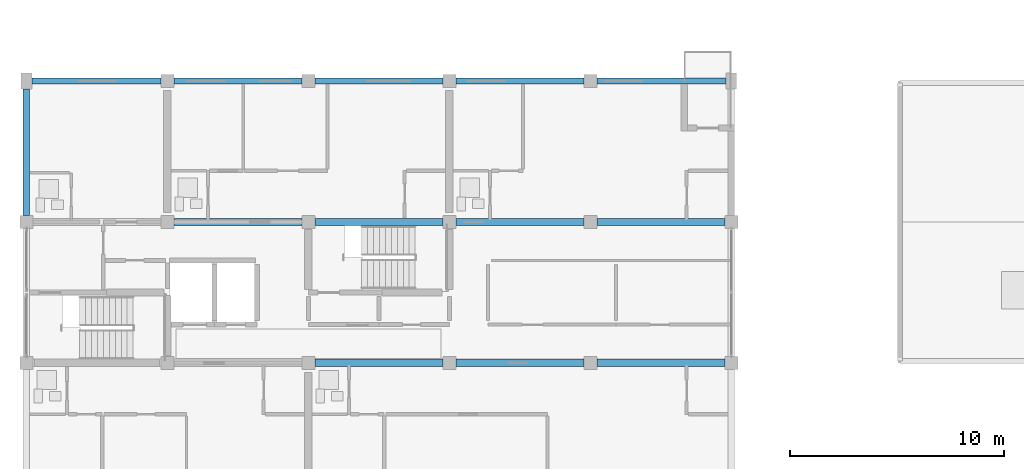
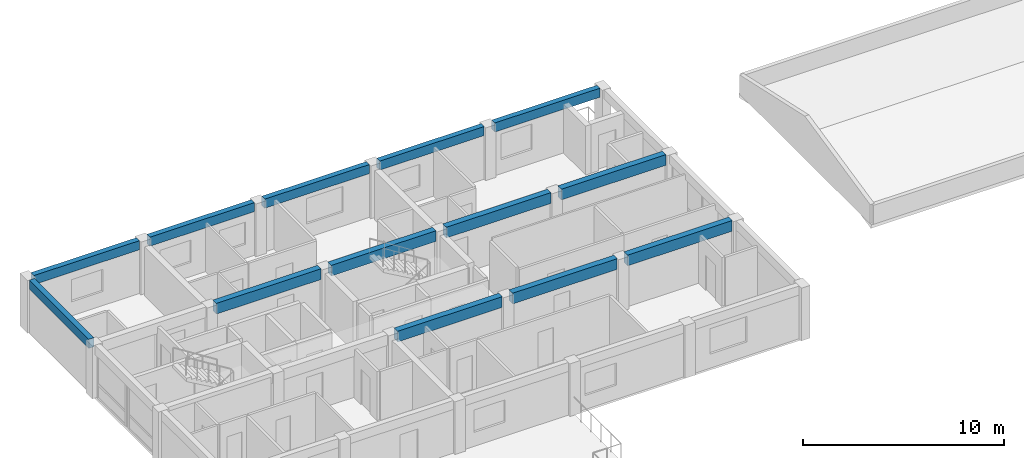
# One storey, part 16 of 51: 13 beams.
"""IFC4 building model written with IfcOpenShell, lengths in metres."""

from ifc_helpers import new_model, si_unit, direction, frame, origin, origin_2d, place, context, subcontext, project, spatial, rectangle, extrude, material, material_profile, profile_set, type_object, element, save


model = new_model("IFC4")

# Units and contexts
model_context = context("Model", 3, precision=1e-05, world=origin(), true_north=direction((0.0, 1.0)))
body_context = subcontext(model_context, "Body", "Model", "MODEL_VIEW")
ifc_project = project(units=[si_unit("LENGTHUNIT", "METRE"), si_unit("AREAUNIT", "SQUARE_METRE"), si_unit("VOLUMEUNIT", "CUBIC_METRE"), si_unit("PLANEANGLEUNIT", "RADIAN"), si_unit("MASSUNIT", "GRAM", prefix="KILO")], contexts=[model_context])

# Site, building, storey
site_placement = place(None, origin())
site = spatial("IfcSite", under=ifc_project, at=site_placement, CompositionType="ELEMENT")
building_placement = place(site_placement, origin())
building = spatial("IfcBuilding", under=site, at=building_placement, Name="Kernevlak Ridge Housing Community", CompositionType="ELEMENT")
storey_placement = place(building_placement, frame((0.0, 0.0, 8.39990234375)))
storey = spatial("IfcBuildingStorey", under=building, at=storey_placement, Name="L02", CompositionType="ELEMENT", Elevation=8.39990234375)

# Beams
ifc_material = material(Name="Concrete C35/45", Category="concrete")
ifc_material_profile_1 = material_profile(ifc_material, rectangle(XDim=0.35009765625, YDim=0.64990234375, at=origin_2d()), Name="RC 350x650")
ifc_profile_set_1 = profile_set([ifc_material_profile_1], Name="Concrete C35/45")
beam_type_1 = type_object("IfcBeamType", Name="B-02", PredefinedType="BEAM", material=ifc_profile_set_1)
for number, where, z_axis, x_axis, name in (
    (1, (29.10009765625, 82.60009765625, 2.875), (1.0, 0.0, 0.0), (0.0, 1.0, 0.0), "Beam B-02 L02 116"),
    (2, (35.699951171875, 82.60009765625, 2.875), (1.0, 0.0, 0.0), (0.0, 1.0, 0.0), "Beam B-02 L02 117"),
    (3, (42.300048828125, 82.60009765625, 2.875), (1.0, 0.0, 0.0), (0.0, 1.0, 0.0), "Beam B-02 L02 118"),
    (4, (22.5, 89.199951171875, 2.875), (1.0, 0.0, 0.0), (0.0, 1.0, 0.0), "Beam B-02 L02 120"),
    (5, (29.10009765625, 89.199951171875, 2.875), (1.0, 0.0, 0.0), (0.0, 1.0, 0.0), "Beam B-02 L02 121"),
    (6, (35.699951171875, 89.199951171875, 2.875), (1.0, 0.0, 0.0), (0.0, 1.0, 0.0), "Beam B-02 L02 122"),
    (7, (42.300048828125, 89.199951171875, 2.875), (1.0, 0.0, 0.0), (0.0, 1.0, 0.0), "Beam B-02 L02 123"),
):
    element("IfcBeam", number, at=place(storey_placement, frame(where, z_axis=z_axis, x_axis=x_axis)), inside=storey, type_object=beam_type_1, Name=name, PredefinedType="BEAM", context=body_context, shape_type="SweptSolid", body=[
        extrude(rectangle(XDim=0.35009765625, YDim=0.64990234375, at=origin_2d()), origin(), (0.0, 0.0, 1.0), 6.0),
    ])
ifc_material_profile_2 = material_profile(ifc_material, rectangle(XDim=0.300048828125, YDim=0.550048828125, at=origin_2d()), Name="RC 300x550")
ifc_profile_set_2 = profile_set([ifc_material_profile_2], Name="Concrete C35/45")
beam_type_2 = type_object("IfcBeamType", Name="SP-01", PredefinedType="SPANDREL", material=ifc_profile_set_2)
beam_1_placement = place(storey_placement, frame((15.85009765625, 95.800048828125, 2.925048828125), z_axis=(1.0, 0.0, 0.0), x_axis=(0.0, 1.0, 0.0)))
element("IfcBeam", 8, at=beam_1_placement, inside=storey, type_object=beam_type_2, Name="Beam SP-01 L02 124", PredefinedType="SPANDREL", context=body_context, shape_type="SweptSolid", body=[
    extrude(rectangle(XDim=0.300048828125, YDim=0.550048828125, at=origin_2d()), origin(), (0.0, 0.0, 1.0), 6.0498046875),
])
for number, where, z_axis, x_axis, name in (
    (9, (22.5, 95.800048828125, 2.925048828125), (1.0, 0.0, 0.0), (0.0, 1.0, 0.0), "Beam SP-01 L02 125"),
    (10, (29.10009765625, 95.800048828125, 2.925048828125), (1.0, 0.0, 0.0), (0.0, 1.0, 0.0), "Beam SP-01 L02 126"),
    (11, (35.699951171875, 95.800048828125, 2.925048828125), (1.0, 0.0, 0.0), (0.0, 1.0, 0.0), "Beam SP-01 L02 127"),
):
    element("IfcBeam", number, at=place(storey_placement, frame(where, z_axis=z_axis, x_axis=x_axis)), inside=storey, type_object=beam_type_2, Name=name, PredefinedType="SPANDREL", context=body_context, shape_type="SweptSolid", body=[
        extrude(rectangle(XDim=0.300048828125, YDim=0.550048828125, at=origin_2d()), origin(), (0.0, 0.0, 1.0), 6.0),
    ])
beam_2_placement = place(storey_placement, frame((42.300048828125, 95.800048828125, 2.925048828125), z_axis=(1.0, 0.0, 0.0), x_axis=(0.0, 1.0, 0.0)))
element("IfcBeam", 12, at=beam_2_placement, inside=storey, type_object=beam_type_2, Name="Beam SP-01 L02 128", PredefinedType="SPANDREL", context=body_context, shape_type="SweptSolid", body=[
    extrude(rectangle(XDim=0.300048828125, YDim=0.550048828125, at=origin_2d()), origin(), (0.0, 0.0, 1.0), 6.050048828125),
])
beam_3_placement = place(storey_placement, frame((15.60009765625, 89.5, 2.925048828125), z_axis=(0.0, 1.0, 0.0), x_axis=(-1.0, 0.0, 0.0)))
element("IfcBeam", 13, at=beam_3_placement, inside=storey, type_object=beam_type_2, Name="Beam SP-01 L02 131", PredefinedType="SPANDREL", context=body_context, shape_type="SweptSolid", body=[
    extrude(rectangle(XDim=0.300048828125, YDim=0.550048828125, at=origin_2d()), origin(), (0.0, 0.0, 1.0), 5.925048828125),
])

save(model, "model.ifc")
